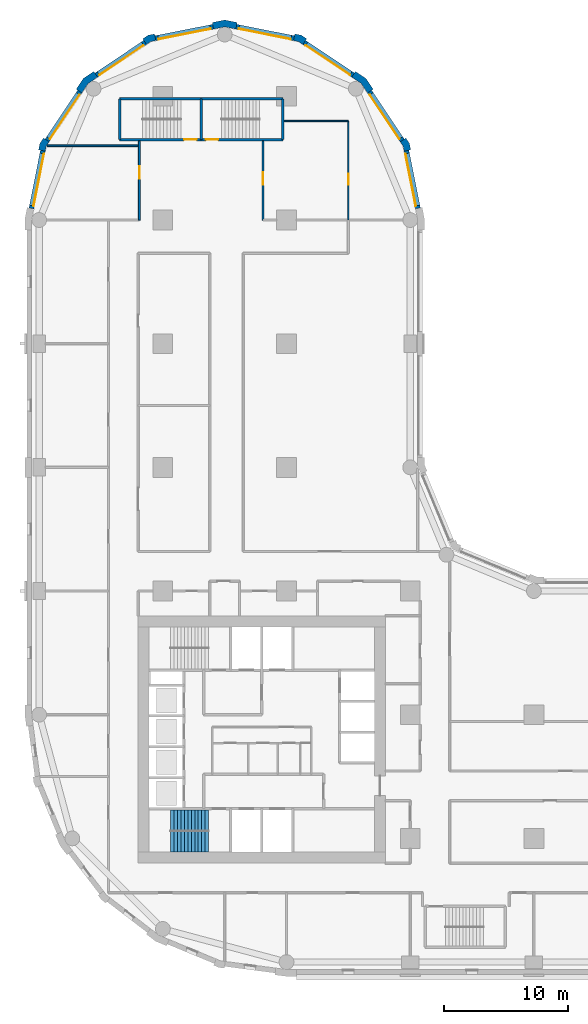
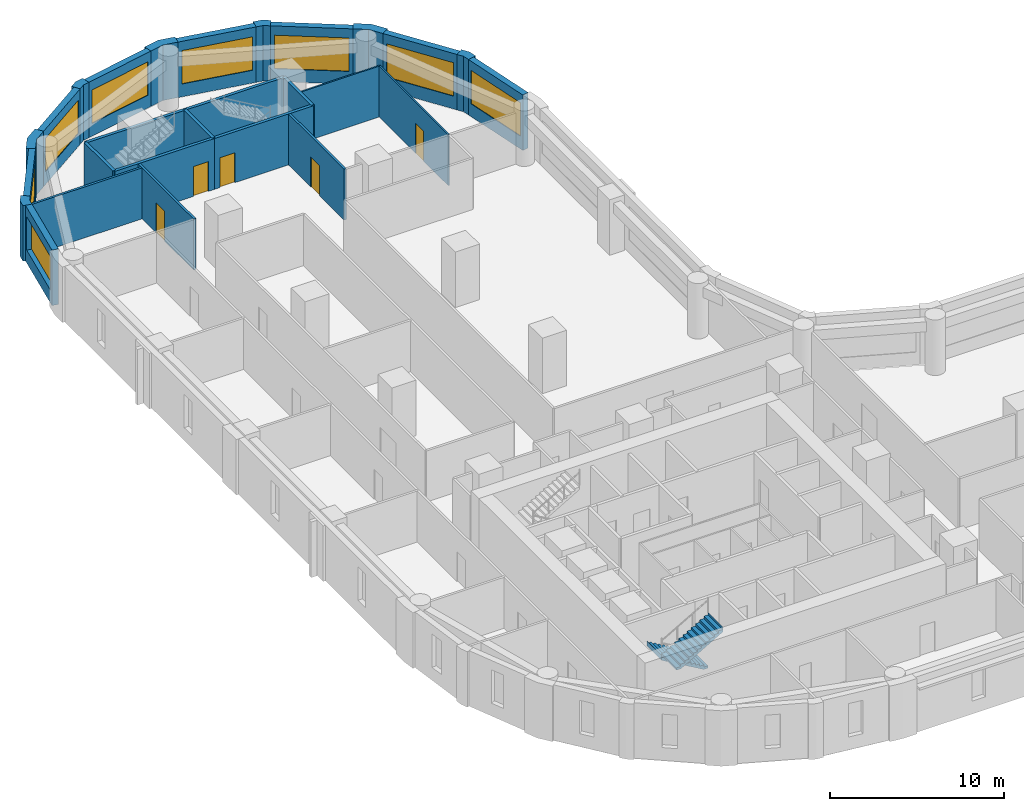
# One storey, part 8 of 11: 27 walls, 8 windows, 5 doors, 2 stair flights, 13 openings, 1 element without a shape of its own.
"""IFC4 building model written with IfcOpenShell, lengths in metres."""

from ifc_helpers import new_model, si_unit, direction, frame, frame_2d, origin, place, context, subcontext, project, spatial, polyline, rectangle, outline, extrude, material, layer, layer_set, type_object, element, fill, aggregate, save


model = new_model("IFC4")

# Units and contexts
model_context = context("Model", 3, precision=1e-05, world=origin(), true_north=direction((0.0, 1.0)))
body_context = subcontext(model_context, "Body", "Model", "MODEL_VIEW")
ifc_project = project(units=[si_unit("LENGTHUNIT", "METRE"), si_unit("AREAUNIT", "SQUARE_METRE"), si_unit("VOLUMEUNIT", "CUBIC_METRE"), si_unit("PLANEANGLEUNIT", "RADIAN"), si_unit("MASSUNIT", "GRAM", prefix="KILO")], contexts=[model_context])

# Site, building, storey
site_placement = place(None, origin())
site = spatial("IfcSite", under=ifc_project, at=site_placement, CompositionType="ELEMENT")
building_placement = place(site_placement, origin())
building = spatial("IfcBuilding", under=site, at=building_placement, Name="Qaws Garden Tower", CompositionType="ELEMENT")
storey_placement = place(building_placement, frame((0.0, 0.0, 23.699951171875)))
storey = spatial("IfcBuildingStorey", under=building, at=storey_placement, Name="L05", CompositionType="ELEMENT", Elevation=23.699951171875)

# Wall, opening, window
ifc_material_1 = material(Name="Clay facing brick masonry", Category="masonry")
ifc_layer_1 = layer(ifc_material_1, 0.39990234375)
ifc_layer_set_1 = layer_set([ifc_layer_1], Name="Clay facing brick masonry")
wall_type_1 = type_object("IfcWallType", Name="Brick infill wall 400", PredefinedType="SOLIDWALL", material=ifc_layer_set_1)
wall_1_placement = place(storey_placement, frame((30.628662109375, 60.940673828125, 0.0), z_axis=(0.0, 0.0, 1.0), x_axis=(-0.195098533057, 0.98078364709, 0.0)))
wall_1 = element("IfcWall", 1, at=wall_1_placement, inside=storey, type_object=wall_type_1, Name="E-L05-infill-15", PredefinedType="SOLIDWALL", context=body_context, shape_type="SweptSolid", body=[
    extrude(rectangle(XDim=4.752685546875, YDim=0.39990234375, at=frame_2d((2.37646484375, 0.0))), origin(), (0.0, 0.0, 1.0), 3.900146484375),
])
opening_1_placement = place(wall_1_placement, frame((0.226318359375, 0.0, 0.89990234375)))
opening_1 = element("IfcOpeningElement", 2, at=opening_1_placement, cuts=wall_1, Name="Opening W06", PredefinedType="OPENING", context=body_context, shape_type="SweptSolid", body=[
    extrude(rectangle(XDim=4.300048828125, YDim=2.35009765625, at=frame_2d((2.14990234375, 1.175048828125))), frame((0.0, 0.2099609375, 0.0), z_axis=(0.0, -1.0, 0.0), x_axis=(1.0, 0.0, 0.0)), (0.0, 0.0, 1.0), 0.419921875),
])
ifc_material_2 = material(Name="Aluminium framed window, clear glazing", Category="aluminium")
window_type = type_object("IfcWindowType", Name="Ribbon window 4300 x 2350", PartitioningType="DOUBLE_PANEL_VERTICAL", PredefinedType="WINDOW", material=ifc_material_2)
window_1_placement = place(opening_1_placement, origin())
window_1 = element("IfcWindow", 3, at=window_1_placement, inside=storey, type_object=window_type, Name="E-L05-window-15-0", OverallHeight=2.35009765625, OverallWidth=4.300048828125, PartitioningType="SINGLE_PANEL", PredefinedType="WINDOW", context=body_context, shape_type="SweptSolid", body=[
    extrude(rectangle(XDim=4.300048828125, YDim=2.35009765625, at=frame_2d((2.14990234375, 1.175048828125))), frame((0.0, 0.159912109375, 0.0), z_axis=(0.0, -1.0, 0.0), x_axis=(1.0, 0.0, 0.0)), (0.0, 0.0, 1.0), 0.06005859375),
])
fill(opening_1, window_1)

wall_2_placement = place(storey_placement, frame((29.356689453125, 66.43408203125, 0.0), z_axis=(0.0, 0.0, 1.0), x_axis=(-0.555541552266, 0.831488775454, 0.0)))
wall_2 = element("IfcWall", 4, at=wall_2_placement, inside=storey, type_object=wall_type_1, Name="E-L05-infill-16", PredefinedType="SOLIDWALL", context=body_context, shape_type="SweptSolid", body=[
    extrude(rectangle(XDim=4.752685546875, YDim=0.39990234375, at=frame_2d((2.37646484375, 0.0))), origin(), (0.0, 0.0, 1.0), 3.900146484375),
])
opening_2_placement = place(wall_2_placement, frame((0.226318359375, 0.0, 0.89990234375)))
opening_2 = element("IfcOpeningElement", 5, at=opening_2_placement, cuts=wall_2, Name="Opening W06", PredefinedType="OPENING", context=body_context, shape_type="SweptSolid", body=[
    extrude(rectangle(XDim=4.300048828125, YDim=2.35009765625, at=frame_2d((2.14990234375, 1.175048828125))), frame((0.0, 0.2099609375, 0.0), z_axis=(0.0, -1.0, 0.0), x_axis=(1.0, 0.0, 0.0)), (0.0, 0.0, 1.0), 0.419921875),
])
window_2_placement = place(opening_2_placement, origin())
window_2 = element("IfcWindow", 6, at=window_2_placement, inside=storey, type_object=window_type, Name="E-L05-window-16-0", OverallHeight=2.35009765625, OverallWidth=4.300048828125, PartitioningType="SINGLE_PANEL", PredefinedType="WINDOW", context=body_context, shape_type="SweptSolid", body=[
    extrude(rectangle(XDim=4.300048828125, YDim=2.35009765625, at=frame_2d((2.14990234375, 1.175048828125))), frame((0.0, 0.159912109375, 0.0), z_axis=(0.0, -1.0, 0.0), x_axis=(1.0, 0.0, 0.0)), (0.0, 0.0, 1.0), 0.06005859375),
])
fill(opening_2, window_2)

wall_3_placement = place(storey_placement, frame((25.385986328125, 71.71630859375, 0.0), z_axis=(0.0, 0.0, 1.0), x_axis=(-0.831488775454, 0.555541552266, 0.0)))
wall_3 = element("IfcWall", 7, at=wall_3_placement, inside=storey, type_object=wall_type_1, Name="E-L05-infill-17", PredefinedType="SOLIDWALL", context=body_context, shape_type="SweptSolid", body=[
    extrude(rectangle(XDim=4.752685546875, YDim=0.39990234375, at=frame_2d((2.37646484375, 0.0))), origin(), (0.0, 0.0, 1.0), 3.900146484375),
])
opening_3_placement = place(wall_3_placement, frame((0.226318359375, 0.0, 0.89990234375)))
opening_3 = element("IfcOpeningElement", 8, at=opening_3_placement, cuts=wall_3, Name="Opening W06", PredefinedType="OPENING", context=body_context, shape_type="SweptSolid", body=[
    extrude(rectangle(XDim=4.300048828125, YDim=2.35009765625, at=frame_2d((2.14990234375, 1.175048828125))), frame((0.0, 0.2099609375, 0.0), z_axis=(0.0, -1.0, 0.0), x_axis=(1.0, 0.0, 0.0)), (0.0, 0.0, 1.0), 0.419921875),
])
window_3_placement = place(opening_3_placement, origin())
window_3 = element("IfcWindow", 9, at=window_3_placement, inside=storey, type_object=window_type, Name="E-L05-window-17-0", OverallHeight=2.35009765625, OverallWidth=4.300048828125, PartitioningType="SINGLE_PANEL", PredefinedType="WINDOW", context=body_context, shape_type="SweptSolid", body=[
    extrude(rectangle(XDim=4.300048828125, YDim=2.35009765625, at=frame_2d((2.14990234375, 1.175048828125))), frame((0.0, 0.159912109375, 0.0), z_axis=(0.0, -1.0, 0.0), x_axis=(1.0, 0.0, 0.0)), (0.0, 0.0, 1.0), 0.06005859375),
])
fill(opening_3, window_3)

wall_4_placement = place(storey_placement, frame((20.60205078125, 74.701416015625, 0.0), z_axis=(0.0, 0.0, 1.0), x_axis=(-0.98078364709, 0.195098533057, 0.0)))
wall_4 = element("IfcWall", 10, at=wall_4_placement, inside=storey, type_object=wall_type_1, Name="E-L05-infill-18", PredefinedType="SOLIDWALL", context=body_context, shape_type="SweptSolid", body=[
    extrude(rectangle(XDim=4.752685546875, YDim=0.39990234375, at=frame_2d((2.37646484375, 0.0))), origin(), (0.0, 0.0, 1.0), 3.900146484375),
])
opening_4_placement = place(wall_4_placement, frame((0.226318359375, 0.0, 0.89990234375)))
opening_4 = element("IfcOpeningElement", 11, at=opening_4_placement, cuts=wall_4, Name="Opening W06", PredefinedType="OPENING", context=body_context, shape_type="SweptSolid", body=[
    extrude(rectangle(XDim=4.300048828125, YDim=2.35009765625, at=frame_2d((2.14990234375, 1.175048828125))), frame((0.0, 0.2099609375, 0.0), z_axis=(0.0, -1.0, 0.0), x_axis=(1.0, 0.0, 0.0)), (0.0, 0.0, 1.0), 0.419921875),
])
window_4_placement = place(opening_4_placement, origin())
window_4 = element("IfcWindow", 12, at=window_4_placement, inside=storey, type_object=window_type, Name="E-L05-window-18-0", OverallHeight=2.35009765625, OverallWidth=4.300048828125, PartitioningType="SINGLE_PANEL", PredefinedType="WINDOW", context=body_context, shape_type="SweptSolid", body=[
    extrude(rectangle(XDim=4.300048828125, YDim=2.35009765625, at=frame_2d((2.14990234375, 1.175048828125))), frame((0.0, 0.159912109375, 0.0), z_axis=(0.0, -1.0, 0.0), x_axis=(1.0, 0.0, 0.0)), (0.0, 0.0, 1.0), 0.06005859375),
])
fill(opening_4, window_4)

wall_5_placement = place(storey_placement, frame((14.059326171875, 75.628662109375, 0.0), z_axis=(0.0, 0.0, 1.0), x_axis=(-0.98078364709, -0.195098533057, 0.0)))
wall_5 = element("IfcWall", 13, at=wall_5_placement, inside=storey, type_object=wall_type_1, Name="E-L05-infill-19", PredefinedType="SOLIDWALL", context=body_context, shape_type="SweptSolid", body=[
    extrude(rectangle(XDim=4.752685546875, YDim=0.39990234375, at=frame_2d((2.37646484375, 0.0))), origin(), (0.0, 0.0, 1.0), 3.900146484375),
])
opening_5_placement = place(wall_5_placement, frame((0.226318359375, 0.0, 0.89990234375)))
opening_5 = element("IfcOpeningElement", 14, at=opening_5_placement, cuts=wall_5, Name="Opening W06", PredefinedType="OPENING", context=body_context, shape_type="SweptSolid", body=[
    extrude(rectangle(XDim=4.300048828125, YDim=2.35009765625, at=frame_2d((2.14990234375, 1.175048828125))), frame((0.0, 0.2099609375, 0.0), z_axis=(0.0, -1.0, 0.0), x_axis=(1.0, 0.0, 0.0)), (0.0, 0.0, 1.0), 0.419921875),
])
window_5_placement = place(opening_5_placement, origin())
window_5 = element("IfcWindow", 15, at=window_5_placement, inside=storey, type_object=window_type, Name="E-L05-window-19-0", OverallHeight=2.35009765625, OverallWidth=4.300048828125, PartitioningType="SINGLE_PANEL", PredefinedType="WINDOW", context=body_context, shape_type="SweptSolid", body=[
    extrude(rectangle(XDim=4.300048828125, YDim=2.35009765625, at=frame_2d((2.14990234375, 1.175048828125))), frame((0.0, 0.159912109375, 0.0), z_axis=(0.0, -1.0, 0.0), x_axis=(1.0, 0.0, 0.0)), (0.0, 0.0, 1.0), 0.06005859375),
])
fill(opening_5, window_5)

wall_6_placement = place(storey_placement, frame((8.56591796875, 74.356689453125, 0.0), z_axis=(0.0, 0.0, 1.0), x_axis=(-0.831488775454, -0.555541552266, 0.0)))
wall_6 = element("IfcWall", 16, at=wall_6_placement, inside=storey, type_object=wall_type_1, Name="E-L05-infill-20", PredefinedType="SOLIDWALL", context=body_context, shape_type="SweptSolid", body=[
    extrude(rectangle(XDim=4.752685546875, YDim=0.39990234375, at=frame_2d((2.37646484375, 0.0))), origin(), (0.0, 0.0, 1.0), 3.900146484375),
])
opening_6_placement = place(wall_6_placement, frame((0.226318359375, 0.0, 0.89990234375)))
opening_6 = element("IfcOpeningElement", 17, at=opening_6_placement, cuts=wall_6, Name="Opening W06", PredefinedType="OPENING", context=body_context, shape_type="SweptSolid", body=[
    extrude(rectangle(XDim=4.300048828125, YDim=2.35009765625, at=frame_2d((2.14990234375, 1.175048828125))), frame((0.0, 0.2099609375, 0.0), z_axis=(0.0, -1.0, 0.0), x_axis=(1.0, 0.0, 0.0)), (0.0, 0.0, 1.0), 0.419921875),
])
window_6_placement = place(opening_6_placement, origin())
window_6 = element("IfcWindow", 18, at=window_6_placement, inside=storey, type_object=window_type, Name="E-L05-window-20-0", OverallHeight=2.35009765625, OverallWidth=4.300048828125, PartitioningType="SINGLE_PANEL", PredefinedType="WINDOW", context=body_context, shape_type="SweptSolid", body=[
    extrude(rectangle(XDim=4.300048828125, YDim=2.35009765625, at=frame_2d((2.14990234375, 1.175048828125))), frame((0.0, 0.159912109375, 0.0), z_axis=(0.0, -1.0, 0.0), x_axis=(1.0, 0.0, 0.0)), (0.0, 0.0, 1.0), 0.06005859375),
])
fill(opening_6, window_6)

wall_7_placement = place(storey_placement, frame((3.28369140625, 70.385986328125, 0.0), z_axis=(0.0, 0.0, 1.0), x_axis=(-0.555541552266, -0.831488775454, 0.0)))
wall_7 = element("IfcWall", 19, at=wall_7_placement, inside=storey, type_object=wall_type_1, Name="E-L05-infill-21", PredefinedType="SOLIDWALL", context=body_context, shape_type="SweptSolid", body=[
    extrude(rectangle(XDim=4.752685546875, YDim=0.39990234375, at=frame_2d((2.37646484375, 0.0))), origin(), (0.0, 0.0, 1.0), 3.900146484375),
])
opening_7_placement = place(wall_7_placement, frame((0.226318359375, 0.0, 0.89990234375)))
opening_7 = element("IfcOpeningElement", 20, at=opening_7_placement, cuts=wall_7, Name="Opening W06", PredefinedType="OPENING", context=body_context, shape_type="SweptSolid", body=[
    extrude(rectangle(XDim=4.300048828125, YDim=2.35009765625, at=frame_2d((2.14990234375, 1.175048828125))), frame((0.0, 0.2099609375, 0.0), z_axis=(0.0, -1.0, 0.0), x_axis=(1.0, 0.0, 0.0)), (0.0, 0.0, 1.0), 0.419921875),
])
window_7_placement = place(opening_7_placement, origin())
window_7 = element("IfcWindow", 21, at=window_7_placement, inside=storey, type_object=window_type, Name="E-L05-window-21-0", OverallHeight=2.35009765625, OverallWidth=4.300048828125, PartitioningType="SINGLE_PANEL", PredefinedType="WINDOW", context=body_context, shape_type="SweptSolid", body=[
    extrude(rectangle(XDim=4.300048828125, YDim=2.35009765625, at=frame_2d((2.14990234375, 1.175048828125))), frame((0.0, 0.159912109375, 0.0), z_axis=(0.0, -1.0, 0.0), x_axis=(1.0, 0.0, 0.0)), (0.0, 0.0, 1.0), 0.06005859375),
])
fill(opening_7, window_7)

wall_8_placement = place(storey_placement, frame((0.298583984375, 65.60205078125, 0.0), z_axis=(0.0, 0.0, 1.0), x_axis=(-0.195098533057, -0.98078364709, 0.0)))
wall_8 = element("IfcWall", 22, at=wall_8_placement, inside=storey, type_object=wall_type_1, Name="E-L05-infill-22", PredefinedType="SOLIDWALL", context=body_context, shape_type="SweptSolid", body=[
    extrude(rectangle(XDim=4.752685546875, YDim=0.39990234375, at=frame_2d((2.37646484375, 0.0))), origin(), (0.0, 0.0, 1.0), 3.900146484375),
])
opening_8_placement = place(wall_8_placement, frame((0.226318359375, 0.0, 0.89990234375)))
opening_8 = element("IfcOpeningElement", 23, at=opening_8_placement, cuts=wall_8, Name="Opening W06", PredefinedType="OPENING", context=body_context, shape_type="SweptSolid", body=[
    extrude(rectangle(XDim=4.300048828125, YDim=2.35009765625, at=frame_2d((2.14990234375, 1.175048828125))), frame((0.0, 0.2099609375, 0.0), z_axis=(0.0, -1.0, 0.0), x_axis=(1.0, 0.0, 0.0)), (0.0, 0.0, 1.0), 0.419921875),
])
window_8_placement = place(opening_8_placement, origin())
window_8 = element("IfcWindow", 24, at=window_8_placement, inside=storey, type_object=window_type, Name="E-L05-window-22-0", OverallHeight=2.35009765625, OverallWidth=4.300048828125, PartitioningType="SINGLE_PANEL", PredefinedType="WINDOW", context=body_context, shape_type="SweptSolid", body=[
    extrude(rectangle(XDim=4.300048828125, YDim=2.35009765625, at=frame_2d((2.14990234375, 1.175048828125))), frame((0.0, 0.159912109375, 0.0), z_axis=(0.0, -1.0, 0.0), x_axis=(1.0, 0.0, 0.0)), (0.0, 0.0, 1.0), 0.06005859375),
])
fill(opening_8, window_8)

# Walls
ifc_material_3 = material(Name="Clay facing brick masonry", Category="masonry")
ifc_layer_2 = layer(ifc_material_3, 0.550048828125)
ifc_layer_set_2 = layer_set([ifc_layer_2], Name="Clay facing brick masonry")
wall_type_2 = type_object("IfcWallType", Name="Brick kink pier 550 x 600", PredefinedType="SOLIDWALL", material=ifc_layer_set_2)
placement = place(storey_placement, origin())
element("IfcWall", 25, at=placement, inside=storey, type_object=wall_type_2, Name="E-L05-pier-16", PredefinedType="SOLIDWALL", context=body_context, shape_type="SweptSolid", body=[
    extrude(outline(polyline([(29.8974609375, 65.64111328125), (30.044677734375, 65.67041015625), (29.94140625, 66.18896484375), (29.647705078125, 66.628662109375), (29.52294921875, 66.545166015625), (29.1904296875, 66.322998046875), (29.42333984375, 65.974365234375), (29.505126953125, 65.56298828125), (29.8974609375, 65.64111328125)])), origin(), (0.0, 0.0, 1.0), 3.900146484375),
])
element("IfcWall", 26, at=placement, inside=storey, type_object=wall_type_2, Name="E-L05-pier-18", PredefinedType="SOLIDWALL", context=body_context, shape_type="SweptSolid", body=[
    extrude(outline(polyline([(21.545166015625, 74.52294921875), (21.628662109375, 74.647705078125), (21.18896484375, 74.94140625), (20.67041015625, 75.044677734375), (20.64111328125, 74.8974609375), (20.56298828125, 74.505126953125), (20.974365234375, 74.42333984375), (21.322998046875, 74.1904296875), (21.545166015625, 74.52294921875)])), origin(), (0.0, 0.0, 1.0), 3.900146484375),
])
element("IfcWall", 27, at=placement, inside=storey, type_object=wall_type_2, Name="E-L05-pier-20", PredefinedType="SOLIDWALL", context=body_context, shape_type="SweptSolid", body=[
    extrude(outline(polyline([(9.35888671875, 74.8974609375), (9.32958984375, 75.044677734375), (8.81103515625, 74.94140625), (8.371337890625, 74.647705078125), (8.454833984375, 74.52294921875), (8.677001953125, 74.1904296875), (9.025634765625, 74.42333984375), (9.43701171875, 74.505126953125), (9.35888671875, 74.8974609375)])), origin(), (0.0, 0.0, 1.0), 3.900146484375),
])
element("IfcWall", 28, at=placement, inside=storey, type_object=wall_type_2, Name="E-L05-pier-22", PredefinedType="SOLIDWALL", context=body_context, shape_type="SweptSolid", body=[
    extrude(outline(polyline([(0.47705078125, 66.545166015625), (0.352294921875, 66.628662109375), (0.05859375, 66.18896484375), (-0.044677734375, 65.67041015625), (0.1025390625, 65.64111328125), (0.494873046875, 65.56298828125), (0.57666015625, 65.974365234375), (0.8095703125, 66.322998046875), (0.47705078125, 66.545166015625)])), origin(), (0.0, 0.0, 1.0), 3.900146484375),
])
ifc_material_4 = material(Name="Clay facing brick masonry", Category="masonry")
ifc_layer_3 = layer(ifc_material_4, 0.550048828125)
ifc_layer_set_3 = layer_set([ifc_layer_3], Name="Clay facing brick masonry")
wall_type_3 = type_object("IfcWallType", Name="Brick pier 550 x 1600", PredefinedType="SOLIDWALL", material=ifc_layer_set_3)
element("IfcWall", 29, at=placement, inside=storey, type_object=wall_type_3, Name="E-L05-pier-17", PredefinedType="SOLIDWALL", context=body_context, shape_type="SweptSolid", body=[
    extrude(outline(polyline([(26.882568359375, 70.4970703125), (27.00732421875, 70.580322265625), (26.435791015625, 71.435791015625), (25.580322265625, 72.00732421875), (25.4970703125, 71.882568359375), (25.274658203125, 71.550048828125), (26.0390625, 71.0390625), (26.550048828125, 70.274658203125), (26.882568359375, 70.4970703125)])), origin(), (0.0, 0.0, 1.0), 3.900146484375),
])
element("IfcWall", 30, at=placement, inside=storey, type_object=wall_type_3, Name="E-L05-pier-19", PredefinedType="SOLIDWALL", context=body_context, shape_type="SweptSolid", body=[
    extrude(outline(polyline([(15.979736328125, 75.82470703125), (16.009033203125, 75.971923828125), (15.0, 76.172607421875), (13.990966796875, 75.971923828125), (14.020263671875, 75.82470703125), (14.098388671875, 75.432373046875), (15.0, 75.61181640625), (15.901611328125, 75.432373046875), (15.979736328125, 75.82470703125)])), origin(), (0.0, 0.0, 1.0), 3.900146484375),
])
element("IfcWall", 31, at=placement, inside=storey, type_object=wall_type_3, Name="E-L05-pier-21", PredefinedType="SOLIDWALL", context=body_context, shape_type="SweptSolid", body=[
    extrude(outline(polyline([(4.5029296875, 71.882568359375), (4.419677734375, 72.00732421875), (3.564208984375, 71.435791015625), (2.99267578125, 70.580322265625), (3.117431640625, 70.4970703125), (3.449951171875, 70.274658203125), (3.9609375, 71.0390625), (4.725341796875, 71.550048828125), (4.5029296875, 71.882568359375)])), origin(), (0.0, 0.0, 1.0), 3.900146484375),
])

# Wall, opening, door
ifc_material_5 = material(Name="Concrete C80", Category="concrete")
ifc_layer_4 = layer(ifc_material_5, 0.199951171875)
ifc_layer_set_4 = layer_set([ifc_layer_4], Name="Concrete C80")
wall_type_4 = type_object("IfcWallType", Name="Core shaft wall 200 C80", PredefinedType="SHEAR", material=ifc_layer_set_4)
wall_16_placement = place(storey_placement, frame((6.5, 66.5, 0.0), z_axis=(0.0, 0.0, 1.0), x_axis=(1.0, 0.0, 0.0)))
wall_16 = element("IfcWall", 32, at=wall_16_placement, inside=storey, type_object=wall_type_4, Name="Shaft wall", PredefinedType="SHEAR", context=body_context, shape_type="SweptSolid", body=[
    extrude(rectangle(XDim=6.60009765625, YDim=0.199951171875, at=frame_2d((3.300048828125, 0.0))), origin(), (0.0, 0.0, 1.0), 3.580078125),
])
opening_9_placement = place(wall_16_placement, frame((5.22509765625, 0.0, 0.0)))
opening_9 = element("IfcOpeningElement", 33, at=opening_9_placement, cuts=wall_16, Name="Opening SD13", PredefinedType="OPENING", context=body_context, shape_type="SweptSolid", body=[
    extrude(rectangle(XDim=1.0, YDim=2.10009765625, at=frame_2d((0.5, 1.050048828125))), frame((0.0, 0.10986328125, 0.0), z_axis=(0.0, -1.0, 0.0), x_axis=(1.0, 0.0, 0.0)), (0.0, 0.0, 1.0), 0.219970703125),
])
ifc_material_6 = material(Name="Steel S235", Category="steel")
door_type_1 = type_object("IfcDoorType", Name="Stair door 1000x2100", OperationType="SINGLE_SWING_RIGHT", PredefinedType="DOOR", material=ifc_material_6)
door_1_placement = place(opening_9_placement, origin())
door_1 = element("IfcDoor", 34, at=door_1_placement, inside=storey, type_object=door_type_1, Name="Stair 6 door", OperationType="SINGLE_SWING_RIGHT", OverallHeight=2.10009765625, OverallWidth=1.0, PredefinedType="DOOR", context=body_context, shape_type="SweptSolid", body=[
    extrude(rectangle(XDim=1.0, YDim=2.10009765625, at=frame_2d((0.5, 1.050048828125))), frame((0.0, 0.02490234375, 0.0), z_axis=(0.0, -1.0, 0.0), x_axis=(1.0, 0.0, 0.0)), (0.0, 0.0, 1.0), 0.050048828125),
])
fill(opening_9, door_1)

wall_17_placement = place(storey_placement, frame((13.10009765625, 66.5, 0.0), z_axis=(0.0, 0.0, 1.0), x_axis=(1.0, 0.0, 0.0)))
wall_17 = element("IfcWall", 35, at=wall_17_placement, inside=storey, type_object=wall_type_4, Name="Shaft wall", PredefinedType="SHEAR", context=body_context, shape_type="SweptSolid", body=[
    extrude(rectangle(XDim=6.599853515625, YDim=0.199951171875, at=frame_2d((3.2998046875, 0.0))), origin(), (0.0, 0.0, 1.0), 3.580078125),
])
opening_10_placement = place(wall_17_placement, frame((0.375, 0.0, 0.0)))
opening_10 = element("IfcOpeningElement", 36, at=opening_10_placement, cuts=wall_17, Name="Opening SD14", PredefinedType="OPENING", context=body_context, shape_type="SweptSolid", body=[
    extrude(rectangle(XDim=1.0, YDim=2.10009765625, at=frame_2d((0.5, 1.050048828125))), frame((0.0, 0.10986328125, 0.0), z_axis=(0.0, -1.0, 0.0), x_axis=(1.0, 0.0, 0.0)), (0.0, 0.0, 1.0), 0.219970703125),
])
door_2_placement = place(opening_10_placement, origin())
door_2 = element("IfcDoor", 37, at=door_2_placement, inside=storey, type_object=door_type_1, Name="Stair 7 door", OperationType="SINGLE_SWING_LEFT", OverallHeight=2.10009765625, OverallWidth=1.0, PredefinedType="DOOR", context=body_context, shape_type="SweptSolid", body=[
    extrude(rectangle(XDim=1.0, YDim=2.10009765625, at=frame_2d((0.5, 1.050048828125))), frame((0.0, 0.02490234375, 0.0), z_axis=(0.0, -1.0, 0.0), x_axis=(1.0, 0.0, 0.0)), (0.0, 0.0, 1.0), 0.050048828125),
])
fill(opening_10, door_2)

# Walls
wall_18_placement = place(storey_placement, frame((6.5, 69.800048828125, 0.0), z_axis=(0.0, 0.0, 1.0), x_axis=(1.0, 0.0, 0.0)))
element("IfcWall", 38, at=wall_18_placement, inside=storey, type_object=wall_type_4, Name="Shaft wall", PredefinedType="SHEAR", context=body_context, shape_type="SweptSolid", body=[
    extrude(rectangle(XDim=6.60009765625, YDim=0.199951171875, at=frame_2d((3.300048828125, 0.0))), origin(), (0.0, 0.0, 1.0), 3.580078125),
])
wall_19_placement = place(storey_placement, frame((13.10009765625, 69.800048828125, 0.0), z_axis=(0.0, 0.0, 1.0), x_axis=(1.0, 0.0, 0.0)))
element("IfcWall", 39, at=wall_19_placement, inside=storey, type_object=wall_type_4, Name="Shaft wall", PredefinedType="SHEAR", context=body_context, shape_type="SweptSolid", body=[
    extrude(rectangle(XDim=6.599853515625, YDim=0.199951171875, at=frame_2d((3.2998046875, 0.0))), origin(), (0.0, 0.0, 1.0), 3.580078125),
])
for number, where, z_axis, x_axis, name in (
    (40, (6.5, 66.5, 0.0), (0.0, 0.0, 1.0), (0.0, 1.0, 0.0), "Shaft wall"),
    (41, (13.10009765625, 66.5, 0.0), (0.0, 0.0, 1.0), (0.0, 1.0, 0.0), "Shaft wall"),
    (42, (19.699951171875, 66.5, 0.0), (0.0, 0.0, 1.0), (0.0, 1.0, 0.0), "Shaft wall"),
):
    element("IfcWall", number, at=place(storey_placement, frame(where, z_axis=z_axis, x_axis=x_axis)), inside=storey, type_object=wall_type_4, Name=name, PredefinedType="SHEAR", context=body_context, shape_type="SweptSolid", body=[
        extrude(rectangle(XDim=3.300048828125, YDim=0.199951171875, at=frame_2d((1.64990234375, 0.0))), origin(), (0.0, 0.0, 1.0), 3.580078125),
    ])

# Wall, opening, door
ifc_material_7 = material(Name="Gypsum board partition")
ifc_layer_5 = layer(ifc_material_7, 0.10009765625)
ifc_layer_set_5 = layer_set([ifc_layer_5], Name="Gypsum board partition")
wall_type_5 = type_object("IfcWallType", Name="PARTITION 100", PredefinedType="PARTITIONING", material=ifc_layer_set_5)
wall_20_placement = place(storey_placement, frame((25.0, 60.0, 0.0), z_axis=(0.0, 0.0, 1.0), x_axis=(0.0, 1.0, 0.0)))
wall_20 = element("IfcWall", 43, at=wall_20_placement, inside=storey, type_object=wall_type_5, Name="O-L05-wall-001", PredefinedType="PARTITIONING", context=body_context, shape_type="SweptSolid", body=[
    extrude(rectangle(XDim=8.0, YDim=0.10009765625, at=frame_2d((4.0, 0.0))), origin(), (0.0, 0.0, 1.0), 3.580078125),
])
opening_11_placement = place(wall_20_placement, frame((2.85009765625, 0.0, 0.0)))
opening_11 = element("IfcOpeningElement", 44, at=opening_11_placement, cuts=wall_20, Name="Opening A231", PredefinedType="OPENING", context=body_context, shape_type="SweptSolid", body=[
    extrude(rectangle(XDim=0.89990234375, YDim=2.10009765625, at=frame_2d((0.449951171875, 1.050048828125))), frame((0.0, 0.06005859375, 0.0), z_axis=(0.0, -1.0, 0.0), x_axis=(1.0, 0.0, 0.0)), (0.0, 0.0, 1.0), 0.1201171875),
])
ifc_material_8 = material(Name="Timber door leaf", Category="wood")
door_type_2 = type_object("IfcDoorType", Name="OFFICE DOOR 900 X 2100", OperationType="SINGLE_SWING_LEFT", PredefinedType="DOOR", material=ifc_material_8)
door_3_placement = place(opening_11_placement, origin())
door_3 = element("IfcDoor", 45, at=door_3_placement, inside=storey, type_object=door_type_2, Name="O-L05-door-031", OperationType="SINGLE_SWING_LEFT", OverallHeight=2.10009765625, OverallWidth=0.89990234375, PredefinedType="DOOR", context=body_context, shape_type="SweptSolid", body=[
    extrude(rectangle(XDim=0.89990234375, YDim=2.10009765625, at=frame_2d((0.449951171875, 1.050048828125))), frame((0.0, 0.02490234375, 0.0), z_axis=(0.0, -1.0, 0.0), x_axis=(1.0, 0.0, 0.0)), (0.0, 0.0, 1.0), 0.050048828125),
])
fill(opening_11, door_3)

# Wall
wall_21_placement = place(storey_placement, frame((19.800048828125, 68.0, 0.0), z_axis=(0.0, 0.0, 1.0), x_axis=(1.0, 0.0, 0.0)))
element("IfcWall", 46, at=wall_21_placement, inside=storey, type_object=wall_type_5, Name="O-L05-wall-004", PredefinedType="PARTITIONING", context=body_context, shape_type="SweptSolid", body=[
    extrude(rectangle(XDim=5.199951171875, YDim=0.10009765625, at=frame_2d((2.60009765625, 0.0))), origin(), (0.0, 0.0, 1.0), 3.580078125),
])

# Wall, opening, door
ifc_material_9 = material(Name="Gypsum board partition")
ifc_layer_6 = layer(ifc_material_9, 0.14990234375)
ifc_layer_set_6 = layer_set([ifc_layer_6], Name="Gypsum board partition")
wall_type_6 = type_object("IfcWallType", Name="PARTITION 150 EI 60", PredefinedType="PARTITIONING", material=ifc_layer_set_6)
wall_22_placement = place(storey_placement, frame((8.10009765625, 60.0, 0.0), z_axis=(0.0, 0.0, 1.0), x_axis=(0.0, 1.0, 0.0)))
wall_22 = element("IfcWall", 47, at=wall_22_placement, inside=storey, type_object=wall_type_6, Name="O-L05-wall-008", PredefinedType="PARTITIONING", context=body_context, shape_type="SweptSolid", body=[
    extrude(rectangle(XDim=6.39990234375, YDim=0.14990234375, at=frame_2d((3.199951171875, 0.0))), origin(), (0.0, 0.0, 1.0), 3.580078125),
])
opening_12_placement = place(wall_22_placement, frame((3.35009765625, 0.0, 0.0)))
opening_12 = element("IfcOpeningElement", 48, at=opening_12_placement, cuts=wall_22, Name="Opening A220", PredefinedType="OPENING", context=body_context, shape_type="SweptSolid", body=[
    extrude(rectangle(XDim=1.0, YDim=2.10009765625, at=frame_2d((0.5, 1.050048828125))), frame((0.0, 0.0849609375, 0.0), z_axis=(0.0, -1.0, 0.0), x_axis=(1.0, 0.0, 0.0)), (0.0, 0.0, 1.0), 0.169921875),
])
ifc_material_10 = material(Name="Timber door leaf", Category="wood")
door_type_3 = type_object("IfcDoorType", Name="TENANCY ENTRANCE DOOR 1000 X 2100", OperationType="SINGLE_SWING_LEFT", PredefinedType="DOOR", material=ifc_material_10)
door_4_placement = place(opening_12_placement, origin())
door_4 = element("IfcDoor", 49, at=door_4_placement, inside=storey, type_object=door_type_3, Name="O-L05-door-020", OperationType="SINGLE_SWING_LEFT", OverallHeight=2.10009765625, OverallWidth=1.0, PredefinedType="DOOR", context=body_context, shape_type="SweptSolid", body=[
    extrude(rectangle(XDim=1.0, YDim=2.10009765625, at=frame_2d((0.5, 1.050048828125))), frame((0.0, 0.02490234375, 0.0), z_axis=(0.0, -1.0, 0.0), x_axis=(1.0, 0.0, 0.0)), (0.0, 0.0, 1.0), 0.050048828125),
])
fill(opening_12, door_4)

wall_23_placement = place(storey_placement, frame((18.10009765625, 60.0, 0.0), z_axis=(0.0, 0.0, 1.0), x_axis=(0.0, 1.0, 0.0)))
wall_23 = element("IfcWall", 50, at=wall_23_placement, inside=storey, type_object=wall_type_6, Name="O-L05-wall-014", PredefinedType="PARTITIONING", context=body_context, shape_type="SweptSolid", body=[
    extrude(rectangle(XDim=6.39990234375, YDim=0.14990234375, at=frame_2d((3.199951171875, 0.0))), origin(), (0.0, 0.0, 1.0), 3.580078125),
])
opening_13_placement = place(wall_23_placement, frame((2.85009765625, 0.0, 0.0)))
opening_13 = element("IfcOpeningElement", 51, at=opening_13_placement, cuts=wall_23, Name="Opening A221", PredefinedType="OPENING", context=body_context, shape_type="SweptSolid", body=[
    extrude(rectangle(XDim=1.0, YDim=2.10009765625, at=frame_2d((0.5, 1.050048828125))), frame((0.0, 0.0849609375, 0.0), z_axis=(0.0, -1.0, 0.0), x_axis=(1.0, 0.0, 0.0)), (0.0, 0.0, 1.0), 0.169921875),
])
door_5_placement = place(opening_13_placement, frame((1.0, 0.0, 0.0), z_axis=(0.0, 0.0, 1.0), x_axis=(-1.0, 0.0, 0.0)))
door_5 = element("IfcDoor", 52, at=door_5_placement, inside=storey, type_object=door_type_3, Name="O-L05-door-021", OperationType="SINGLE_SWING_RIGHT", OverallHeight=2.10009765625, OverallWidth=1.0, PredefinedType="DOOR", context=body_context, shape_type="SweptSolid", body=[
    extrude(rectangle(XDim=1.0, YDim=2.10009765625, at=frame_2d((0.5, 1.050048828125))), frame((0.0, 0.02490234375, 0.0), z_axis=(0.0, -1.0, 0.0), x_axis=(1.0, 0.0, 0.0)), (0.0, 0.0, 1.0), 0.050048828125),
])
fill(opening_13, door_5)

# Wall
wall_24_placement = place(storey_placement, frame((0.643798828125, 66.0, 0.0), z_axis=(0.0, 0.0, 1.0), x_axis=(1.0, 0.0, 0.0)))
element("IfcWall", 53, at=wall_24_placement, inside=storey, type_object=wall_type_6, Name="O-L05-wall-068", PredefinedType="PARTITIONING", context=body_context, shape_type="SweptSolid", body=[
    extrude(rectangle(XDim=7.456298828125, YDim=0.14990234375, at=frame_2d((3.72802734375, 0.0))), origin(), (0.0, 0.0, 1.0), 3.580078125),
])

# Stair, stair flights
ifc_material_11 = material(Name="Concrete C40", Category="concrete")
stair_type = type_object("IfcStairType", Name="Exit stair 1500", PredefinedType="HALF_TURN_STAIR", material=ifc_material_11)
stair = element("IfcStair", 54, at=placement, inside=storey, type_object=stair_type, Name="Stair 1", PredefinedType="HALF_TURN_STAIR")
ifc_material_12 = material(Name="Concrete C40", Category="concrete")
stair_flight_type = type_object("IfcStairFlightType", Name="Stair flight 1500", PredefinedType="STRAIGHT", material=ifc_material_12)
stair_flight_1_placement = place(storey_placement, frame((13.699951171875, 11.449951171875, 0.0), z_axis=(0.0, 0.0, 1.0), x_axis=(-1.0, 0.0, 0.0)))
stair_flight_1 = element("IfcStairFlight", 55, at=stair_flight_1_placement, type_object=stair_flight_type, Name="ST1 flight 1", NumberOfRisers=12, NumberOfTreads=11, PredefinedType="STRAIGHT", RiserHeight=0.1625, TreadLength=0.28, context=body_context, shape_type="SweptSolid", body=[
    extrude(outline(polyline([(-0.0029296875, 0.0), (-0.0029296875, 0.16259765625), (0.0, 0.16259765625), (0.280029296875, 0.16259765625), (0.280029296875, 0.324951171875), (0.56005859375, 0.324951171875), (0.56005859375, 0.487548828125), (0.840087890625, 0.487548828125), (0.840087890625, 0.64990234375), (1.1201171875, 0.64990234375), (1.1201171875, 0.8125), (1.39990234375, 0.8125), (1.39990234375, 0.97509765625), (1.679931640625, 0.97509765625), (1.679931640625, 1.137451171875), (1.9599609375, 1.137451171875), (1.9599609375, 1.300048828125), (2.239990234375, 1.300048828125), (2.239990234375, 1.46240234375), (2.52001953125, 1.46240234375), (2.52001953125, 1.625), (2.800048828125, 1.625), (2.800048828125, 1.78759765625), (3.080078125, 1.78759765625), (3.080078125, 1.949951171875), (3.0830078125, 1.949951171875), (3.0830078125, 1.6142578125), (3.080078125, 1.6142578125), (0.298583984375, 0.0), (-0.0029296875, 0.0)])), frame((0.0, 0.85009765625, 0.0), z_axis=(0.0, -1.0, 0.0), x_axis=(1.0, 0.0, 0.0)), (0.0, 0.0, 1.0), 1.699951171875),
])
stair_flight_2_placement = place(storey_placement, frame((10.6201171875, 9.75, 1.949951171875), z_axis=(0.0, 0.0, 1.0), x_axis=(1.0, 0.0, 0.0)))
stair_flight_2 = element("IfcStairFlight", 56, at=stair_flight_2_placement, type_object=stair_flight_type, Name="ST1 flight 2", NumberOfRisers=12, NumberOfTreads=11, PredefinedType="STRAIGHT", RiserHeight=0.1625, TreadLength=0.28, context=body_context, shape_type="SweptSolid", body=[
    extrude(outline(polyline([(-0.0029296875, 0.0), (-0.0029296875, 0.16259765625), (0.0, 0.16259765625), (0.280029296875, 0.16259765625), (0.280029296875, 0.324951171875), (0.56005859375, 0.324951171875), (0.56005859375, 0.487548828125), (0.840087890625, 0.487548828125), (0.840087890625, 0.64990234375), (1.1201171875, 0.64990234375), (1.1201171875, 0.8125), (1.39990234375, 0.8125), (1.39990234375, 0.97509765625), (1.679931640625, 0.97509765625), (1.679931640625, 1.137451171875), (1.9599609375, 1.137451171875), (1.9599609375, 1.300048828125), (2.239990234375, 1.300048828125), (2.239990234375, 1.46240234375), (2.52001953125, 1.46240234375), (2.52001953125, 1.625), (2.800048828125, 1.625), (2.800048828125, 1.78759765625), (3.080078125, 1.78759765625), (3.080078125, 1.949951171875), (3.0830078125, 1.949951171875), (3.0830078125, 1.6142578125), (3.080078125, 1.6142578125), (0.298583984375, 0.0), (-0.0029296875, 0.0)])), frame((0.0, 0.85009765625, 0.0), z_axis=(0.0, -1.0, 0.0), x_axis=(1.0, 0.0, 0.0)), (0.0, 0.0, 1.0), 1.699951171875),
])
aggregate(stair, [stair_flight_1, stair_flight_2])

save(model, "model.ifc")
